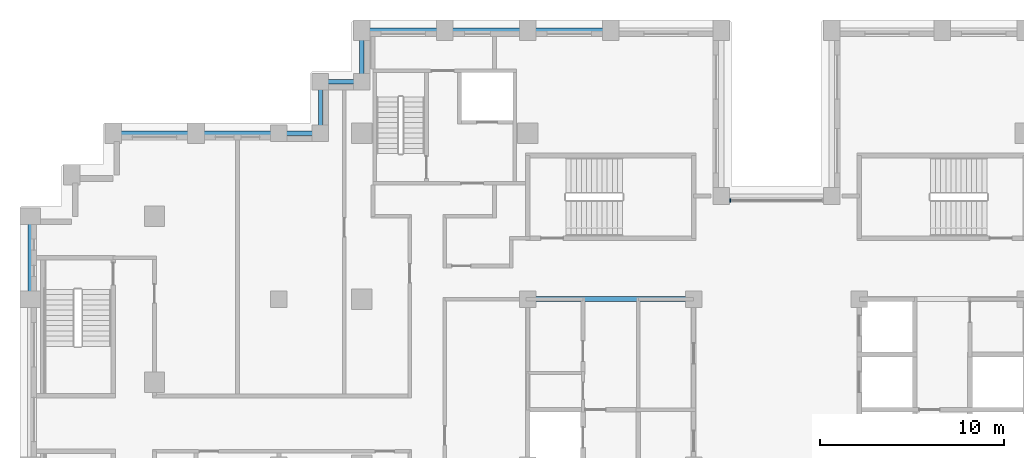
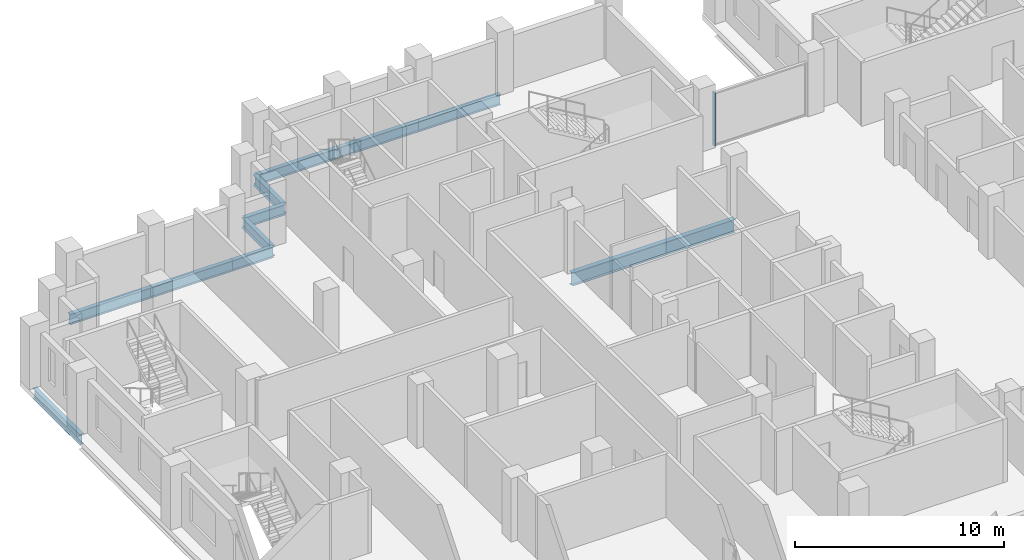
# One storey, part 3 of 16: 11 beams, 1 member, 1 element without a shape of its own.
"""IFC4 building model written with IfcOpenShell, lengths in metres."""

from ifc_helpers import new_model, si_unit, direction, frame, origin, origin_2d, place, context, subcontext, project, spatial, rectangle, i_section, extrude, material, layer, layer_set, material_profile, profile_set, type_object, element, aggregate, save


model = new_model("IFC4")

# Units and contexts
model_context = context("Model", 3, precision=1e-05, world=origin(), true_north=direction((0.0, 1.0)))
body_context = subcontext(model_context, "Body", "Model", "MODEL_VIEW")
ifc_project = project(units=[si_unit("LENGTHUNIT", "METRE"), si_unit("AREAUNIT", "SQUARE_METRE"), si_unit("VOLUMEUNIT", "CUBIC_METRE"), si_unit("PLANEANGLEUNIT", "RADIAN"), si_unit("MASSUNIT", "GRAM", prefix="KILO")], contexts=[model_context])

# Site, building, storey
site_placement = place(None, origin())
site = spatial("IfcSite", under=ifc_project, at=site_placement, CompositionType="ELEMENT")
building_placement = place(site_placement, origin())
building = spatial("IfcBuilding", under=site, at=building_placement, Name="Corbelhall Arena Tower", CompositionType="ELEMENT")
storey_placement = place(building_placement, frame((0.0, 0.0, 150.0)))
storey = spatial("IfcBuildingStorey", under=building, at=storey_placement, Name="L29", CompositionType="ELEMENT", Elevation=150.0)

# Curtain wall, member
ifc_material_1 = material(Name="Aluminium black anodised", Category="aluminium")
ifc_layer = layer(ifc_material_1, 0.199951171875)
ifc_layer_set = layer_set([ifc_layer], Name="EV-CW1 Slot back wall")
curtain_wall_type = type_object("IfcCurtainWallType", Name="EV-CW1 Slot back wall", PredefinedType="NOTDEFINED", material=ifc_layer_set)
curtain_wall_placement = place(storey_placement, origin())
curtain_wall = element("IfcCurtainWall", 1, at=curtain_wall_placement, inside=storey, type_object=curtain_wall_type, Name="Curtain wall CW1", PredefinedType="NOTDEFINED")
ifc_material_profile_1 = material_profile(ifc_material_1, rectangle(XDim=0.199951171875, YDim=0.074951171875, at=origin_2d()))
ifc_profile_set_1 = profile_set([ifc_material_profile_1], Name="Aluminium black anodised")
member_type = type_object("IfcMemberType", Name="EV-CW1-MULLION", PredefinedType="MULLION", material=ifc_profile_set_1)
member_placement = place(storey_placement, frame((-2.512451171875, 14.35009765625, 0.0), z_axis=(0.0, 0.0, 1.0), x_axis=(0.0, -1.0, 0.0)))
member = element("IfcMember", 2, at=member_placement, type_object=member_type, Name="CW1 mullion 2", PredefinedType="MULLION", context=body_context, shape_type="SweptSolid", body=[
    extrude(rectangle(XDim=0.199951171875, YDim=0.074951171875, at=origin_2d()), origin(), (0.0, 0.0, 1.0), 3.10009765625),
])
aggregate(curtain_wall, [member])

# Beams
ifc_material_2 = material(Name="Steel ASTM A992 Gr50", Category="steel")
ifc_material_profile_2 = material_profile(ifc_material_2, i_section(OverallWidth=0.2666015625, OverallDepth=0.761962890625, WebThickness=0.014404296875, FlangeThickness=0.021484375, at=origin_2d()))
ifc_profile_set_2 = profile_set([ifc_material_profile_2], Name="Steel ASTM A992 Gr50")
beam_type_1 = type_object("IfcBeamType", Name="ST-BEAM-W30x116", PredefinedType="BEAM", material=ifc_profile_set_2)
beam_1_placement = place(storey_placement, frame((-13.5, 9.0, -0.680908203125), z_axis=(1.0, 0.0, 0.0), x_axis=(0.0, 1.0, 0.0)))
element("IfcBeam", 3, at=beam_1_placement, inside=storey, type_object=beam_type_1, Name="Beam CEW 6", PredefinedType="BEAM", context=body_context, shape_type="SweptSolid", body=[
    extrude(i_section(OverallWidth=0.2666015625, OverallDepth=0.761962890625, WebThickness=0.014404296875, FlangeThickness=0.021484375, at=origin_2d()), origin(), (0.0, 0.0, 1.0), 9.0),
])
ifc_material_profile_3 = material_profile(ifc_material_2, i_section(OverallWidth=0.22900390625, OverallDepth=0.612060546875, WebThickness=0.011962890625, FlangeThickness=0.01953125, at=origin_2d()))
ifc_profile_set_3 = profile_set([ifc_material_profile_3], Name="Steel ASTM A992 Gr50")
beam_type_2 = type_object("IfcBeamType", Name="ST-SPANDREL-W24x84", PredefinedType="SPANDREL", material=ifc_profile_set_3)
for number, where, z_axis, x_axis, name in (
    (4, (-40.5, 9.0, -0.60595703125), (0.0, 1.0, 0.0), (-1.0, 0.0, 0.0), "Beam SP 2"),
    (5, (-31.5, 18.0, -0.60595703125), (1.0, 0.0, 0.0), (0.0, 1.0, 0.0), "Beam SP 5"),
    (6, (-36.0, 18.0, -0.60595703125), (1.0, 0.0, 0.0), (0.0, 1.0, 0.0), "Beam SP 6"),
    (7, (-13.5, 23.60009765625, -0.60595703125), (1.0, 0.0, 0.0), (0.0, 1.0, 0.0), "Beam SP 24"),
    (8, (-18.0, 23.60009765625, -0.60595703125), (1.0, 0.0, 0.0), (0.0, 1.0, 0.0), "Beam SP 25"),
    (9, (-22.5, 23.60009765625, -0.60595703125), (1.0, 0.0, 0.0), (0.0, 1.0, 0.0), "Beam SP 26"),
):
    element("IfcBeam", number, at=place(storey_placement, frame(where, z_axis=z_axis, x_axis=x_axis)), inside=storey, type_object=beam_type_2, Name=name, PredefinedType="SPANDREL", context=body_context, shape_type="SweptSolid", body=[
        extrude(i_section(OverallWidth=0.22900390625, OverallDepth=0.612060546875, WebThickness=0.011962890625, FlangeThickness=0.01953125, at=origin_2d()), origin(), (0.0, 0.0, 1.0), 4.5),
    ])
beam_2_placement = place(storey_placement, frame((-27.0, 18.0, -0.60595703125), z_axis=(1.0, 0.0, 0.0), x_axis=(0.0, 1.0, 0.0)))
element("IfcBeam", 10, at=beam_2_placement, inside=storey, type_object=beam_type_2, Name="Beam SP 37", PredefinedType="SPANDREL", context=body_context, shape_type="SweptSolid", body=[
    extrude(i_section(OverallWidth=0.22900390625, OverallDepth=0.612060546875, WebThickness=0.011962890625, FlangeThickness=0.01953125, at=origin_2d()), origin(), (0.0, 0.0, 1.0), 2.25),
])
beam_3_placement = place(storey_placement, frame((-22.5, 20.800048828125, -0.60595703125), z_axis=(0.0, 1.0, 0.0), x_axis=(-1.0, 0.0, 0.0)))
element("IfcBeam", 11, at=beam_3_placement, inside=storey, type_object=beam_type_2, Name="Beam SP 46", PredefinedType="SPANDREL", context=body_context, shape_type="SweptSolid", body=[
    extrude(i_section(OverallWidth=0.22900390625, OverallDepth=0.612060546875, WebThickness=0.011962890625, FlangeThickness=0.01953125, at=origin_2d()), origin(), (0.0, 0.0, 1.0), 2.800048828125),
])
beam_4_placement = place(storey_placement, frame((-24.75, 20.800048828125, -0.60595703125), z_axis=(1.0, 0.0, 0.0), x_axis=(0.0, 1.0, 0.0)))
element("IfcBeam", 12, at=beam_4_placement, inside=storey, type_object=beam_type_2, Name="Beam SP 47", PredefinedType="SPANDREL", context=body_context, shape_type="SweptSolid", body=[
    extrude(i_section(OverallWidth=0.22900390625, OverallDepth=0.612060546875, WebThickness=0.011962890625, FlangeThickness=0.01953125, at=origin_2d()), origin(), (0.0, 0.0, 1.0), 2.25),
])
beam_5_placement = place(storey_placement, frame((-24.75, 18.0, -0.60595703125), z_axis=(0.0, 1.0, 0.0), x_axis=(-1.0, 0.0, 0.0)))
element("IfcBeam", 13, at=beam_5_placement, inside=storey, type_object=beam_type_2, Name="Beam SP 48", PredefinedType="SPANDREL", context=body_context, shape_type="SweptSolid", body=[
    extrude(i_section(OverallWidth=0.22900390625, OverallDepth=0.612060546875, WebThickness=0.011962890625, FlangeThickness=0.01953125, at=origin_2d()), origin(), (0.0, 0.0, 1.0), 2.800048828125),
])

save(model, "model.ifc")
